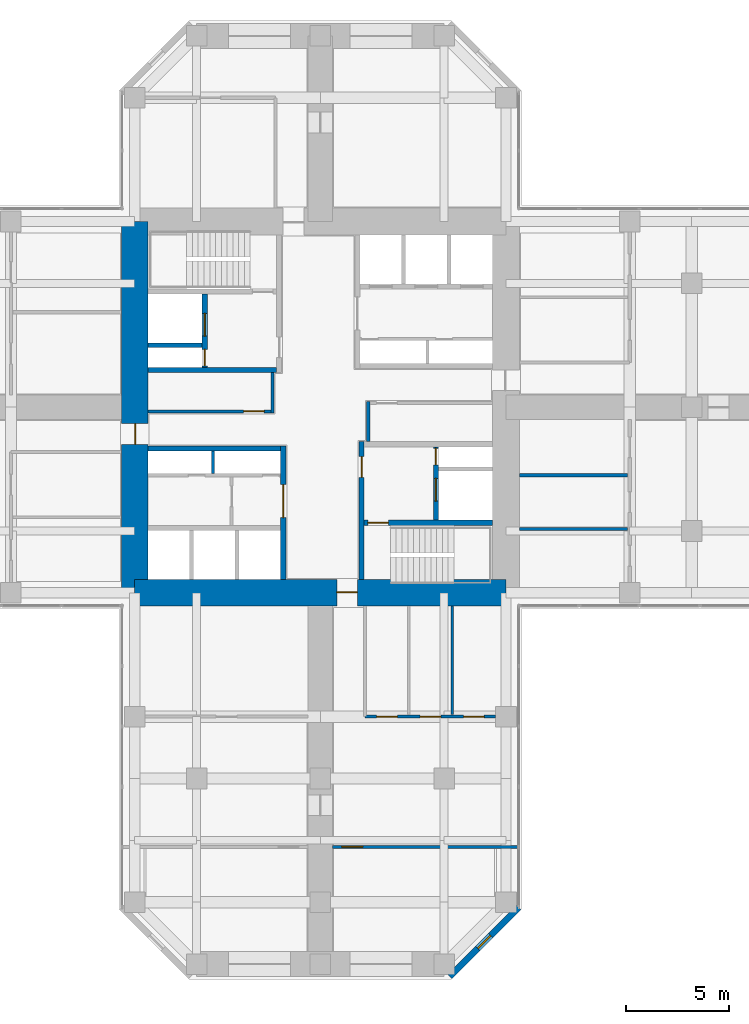
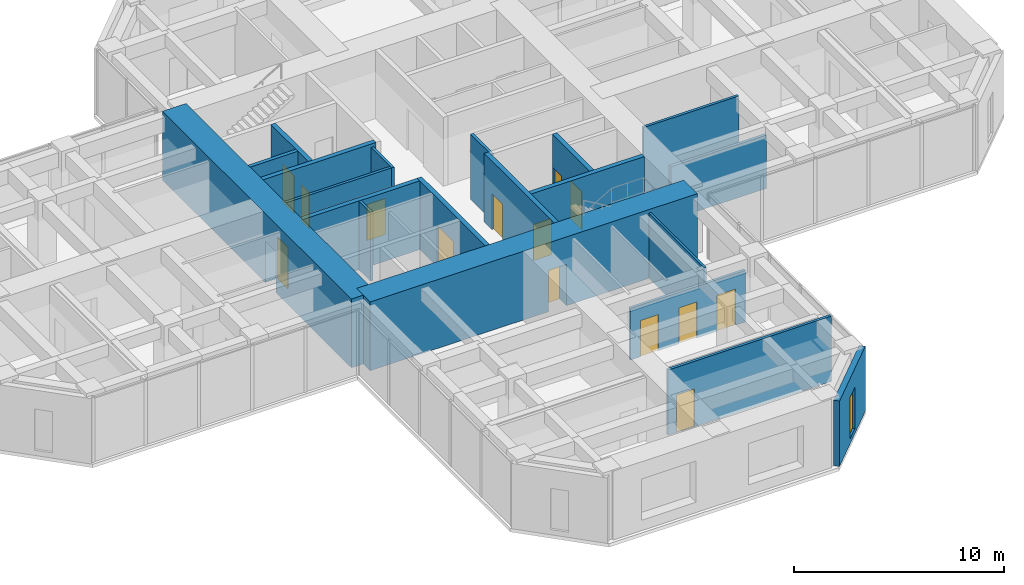
# One storey, part 9 of 13: 20 walls, 14 doors, 1 window, 15 openings.
"""IFC4 building model written with IfcOpenShell, lengths in metres."""

import ifcopenshell
import ifcopenshell.guid

model = None  # the IFC model being written
_history = None  # IfcOwnerHistory: only IFC2X3 demands one
_inside = {}  # id of a spatial element -> (the spatial element, [elements in it])
_under = {}  # id of a project, library or spatial element -> (it, [spatial elements below it])
_declared = {}  # id of a project -> (the project, [libraries it declares])
_typed = {}  # id of a type object -> (the type object, [elements of that type])
_made_of = {}  # id of a material, layer set ... -> (it, [elements and type objects made of it])


def new_model(schema):
    """Start an empty IFC model of exactly this schema.

    Asked for "IFC4X3", IfcOpenShell would pick the latest addendum, in which some entities
    have other attributes; the version numbers below select the first issue.
    IFC2X3 requires an IfcOwnerHistory on every rooted entity: one is made here for all.
    """
    global model, _history
    if schema == "IFC4X3":
        model = ifcopenshell.file(schema_version=(4, 3, 0, 0))
    else:
        model = ifcopenshell.file(schema=schema)
    _inside.clear()
    _under.clear()
    _declared.clear()
    _typed.clear()
    _made_of.clear()
    _history = None
    if model.schema == "IFC2X3":
        org = make("IfcOrganization", Name="unknown")
        user = make(
            "IfcPersonAndOrganization",
            ThePerson=make("IfcPerson", FamilyName="unknown"),
            TheOrganization=org,
        )
        app = make(
            "IfcApplication",
            ApplicationDeveloper=org,
            Version="unknown",
            ApplicationFullName="unknown",
            ApplicationIdentifier="unknown",
        )
        _history = make(
            "IfcOwnerHistory",
            OwningUser=user,
            OwningApplication=app,
            ChangeAction="ADDED",
            CreationDate=0,
        )
    return model


def make(cls, **values):
    """One entity of the class cls with the attributes given. An attribute that is None is left unset."""
    return model.create_entity(
        cls, **{name: value for name, value in values.items() if value is not None}
    )


def rooted(cls, **values):
    """An entity with a GlobalId (a new one), such as an element, a storey or a relation."""
    return make(cls, GlobalId=ifcopenshell.guid.new(), OwnerHistory=_history, **values)


def si_unit(unit_type, name, prefix=None):
    """IfcSIUnit, for example si_unit("LENGTHUNIT", "METRE", prefix="MILLI")."""
    return make("IfcSIUnit", UnitType=unit_type, Prefix=prefix, Name=name)


def assignment(units):
    """IfcUnitAssignment: the units of a project."""
    return None if units is None else make("IfcUnitAssignment", Units=units)


def point(xyz):
    """IfcCartesianPoint."""
    return None if xyz is None else make("IfcCartesianPoint", Coordinates=xyz)


def direction(xyz):
    """IfcDirection."""
    return None if xyz is None else make("IfcDirection", DirectionRatios=xyz)


def frame(location, z_axis=None, x_axis=None):
    """IfcAxis2Placement3D, a coordinate frame: its origin and axes. An axis left out is left unset."""
    return make(
        "IfcAxis2Placement3D",
        Location=point(location),
        Axis=direction(z_axis),
        RefDirection=direction(x_axis),
    )


def frame_2d(location, x_axis=None):
    """IfcAxis2Placement2D, a coordinate frame in the plane: its origin and x axis."""
    return make(
        "IfcAxis2Placement2D", Location=point(location), RefDirection=direction(x_axis)
    )


def origin():
    """The frame at (0, 0, 0) with its axes left unset."""
    return frame((0.0, 0.0, 0.0))


def place(relative_to, where):
    """IfcLocalPlacement: puts the frame where relative to a parent placement (None: the world)."""
    return make(
        "IfcLocalPlacement", PlacementRelTo=relative_to, RelativePlacement=where
    )


def context(
    kind, dimensions, precision=None, world=None, true_north=None, identifier=None
):
    """IfcGeometricRepresentationContext, for example the 3D "Model" context."""
    return make(
        "IfcGeometricRepresentationContext",
        ContextIdentifier=identifier,
        ContextType=kind,
        CoordinateSpaceDimension=dimensions,
        Precision=precision,
        WorldCoordinateSystem=world,
        TrueNorth=true_north,
    )


def subcontext(parent, identifier, kind, view, scale=None):
    """IfcGeometricRepresentationSubContext, for example "Body" below "Model"."""
    return make(
        "IfcGeometricRepresentationSubContext",
        ContextIdentifier=identifier,
        ContextType=kind,
        ParentContext=parent,
        TargetScale=scale,
        TargetView=view,
    )


def project(units=None, contexts=None):
    """IfcProject with its units and contexts."""
    return rooted(
        "IfcProject",
        Name="project",
        RepresentationContexts=contexts,
        UnitsInContext=assignment(units),
    )


def spatial(cls, under=None, at=None, **own):
    """A site, building, storey or space (cls), placed at a placement, below another one or the project."""
    s = rooted(cls, ObjectPlacement=at, **own)
    if under is not None:
        _under.setdefault(under.id(), (under, []))[1].append(s)
    return s


def profile(cls, at=None, kind="AREA", **sizes):
    """A parametric profile (cls). Its sizes go by their IFC names, for example OverallWidth=200.0."""
    return make(cls, ProfileType=kind, Position=at, **sizes)


def rectangle(**sizes):
    """IfcRectangleProfileDef."""
    return profile("IfcRectangleProfileDef", **sizes)


def hollow_rectangle(**sizes):
    """IfcRectangleHollowProfileDef."""
    return profile("IfcRectangleHollowProfileDef", **sizes)


def extrude(swept, where, along, depth):
    """IfcExtrudedAreaSolid: the profile swept, set in the frame where, extruded along a direction by depth."""
    return make(
        "IfcExtrudedAreaSolid",
        SweptArea=swept,
        Position=where,
        ExtrudedDirection=direction(along),
        Depth=depth,
    )


def shape(context_of_items, identifier, shape_type, items):
    """IfcShapeRepresentation: the items that make up one representation, for example the "Body"."""
    return make(
        "IfcShapeRepresentation",
        ContextOfItems=context_of_items,
        RepresentationIdentifier=identifier,
        RepresentationType=shape_type,
        Items=items,
    )


def material(Name=None, Category=None):
    """IfcMaterial."""
    return make("IfcMaterial", Name=Name, Category=Category)


def layer(
    of_material, thickness, ventilated=None, Name=None, Category=None, Priority=None
):
    """IfcMaterialLayer: one layer of a wall or slab, of a material (None: an air gap)."""
    return make(
        "IfcMaterialLayer",
        Material=of_material,
        LayerThickness=thickness,
        IsVentilated=ventilated,
        Name=Name,
        Category=Category,
        Priority=Priority,
    )


def layer_set(layers, Name=None):
    """IfcMaterialLayerSet."""
    return make("IfcMaterialLayerSet", MaterialLayers=layers, LayerSetName=Name)


def constituent(of_material, Name=None, Category=None, fraction=None):
    """IfcMaterialConstituent: one of the materials an element consists of."""
    return make(
        "IfcMaterialConstituent",
        Name=Name,
        Material=of_material,
        Fraction=fraction,
        Category=Category,
    )


def constituent_set(constituents=None, Name=None):
    """IfcMaterialConstituentSet."""
    return make(
        "IfcMaterialConstituentSet", Name=Name, MaterialConstituents=constituents
    )


def made_of(thing, what):
    """Note that an element or type object is made of a material, layer set ...; save() writes the relation."""
    if what is not None:
        _made_of.setdefault(what.id(), (what, []))[1].append(thing)
    return thing


def type_object(cls, material=None, **own):
    """A type object (cls), such as IfcWallType, which elements share."""
    return made_of(rooted(cls, **own), material)


def element(
    cls,
    number,
    at=None,
    inside=None,
    cuts=None,
    type_object=None,
    material=None,
    context=None,
    identifier="Body",
    shape_type=None,
    held_by="IfcProductDefinitionShape",
    body=None,
    shapes=None,
    **own,
):
    """One element of the class cls, such as IfcWall. Its Tag is "e" and its number.

    at: its placement. inside: the storey or other place that contains it. cuts: it is an
    opening in that element (IfcRelVoidsElement). A single representation is given by context,
    identifier, shape_type and body (its items); several are given by shapes. held_by: the class
    of the entity that holds the representations. save() writes the other relations.
    """
    e = rooted(cls, Tag="e%d" % number, ObjectPlacement=at, **own)
    if body is not None:
        shapes = [shape(context, identifier, shape_type, body)]
    if shapes is not None:
        e.Representation = make(held_by, Representations=shapes)
    if inside is not None:
        _inside.setdefault(inside.id(), (inside, []))[1].append(e)
    if cuts is not None:
        rooted(
            "IfcRelVoidsElement", RelatingBuildingElement=cuts, RelatedOpeningElement=e
        )
    if type_object is not None:
        _typed.setdefault(type_object.id(), (type_object, []))[1].append(e)
    return made_of(e, material)


def fill(opening, filler):
    """IfcRelFillsElement: the door or window that sits in an opening."""
    return rooted(
        "IfcRelFillsElement",
        RelatingOpeningElement=opening,
        RelatedBuildingElement=filler,
    )


def aggregate(whole, parts):
    """IfcRelAggregates: a whole, such as a stair, and the parts it consists of."""
    return rooted("IfcRelAggregates", RelatingObject=whole, RelatedObjects=parts)


def save(model, path):
    """Write the relations noted so far, then the file.

    IfcRelAggregates (storeys below a building ...), IfcRelContainedInSpatialStructure (elements
    in a storey), IfcRelDefinesByType, IfcRelAssociatesMaterial and IfcRelDeclares: one each for
    every whole, place, type object, material and project.
    """
    for whole, parts in _under.values():
        aggregate(whole, parts)
    for where, things in _inside.values():
        rooted(
            "IfcRelContainedInSpatialStructure",
            RelatedElements=things,
            RelatingStructure=where,
        )
    for kind, things in _typed.values():
        rooted("IfcRelDefinesByType", RelatedObjects=things, RelatingType=kind)
    for what, things in _made_of.values():
        rooted("IfcRelAssociatesMaterial", RelatedObjects=things, RelatingMaterial=what)
    for by, libraries in _declared.values():
        rooted("IfcRelDeclares", RelatingContext=by, RelatedDefinitions=libraries)
    model.write(path)


model = new_model("IFC4")

# Units and contexts
model_context = context("Model", 3, precision=1e-05, world=origin(), true_north=direction((0.0, 1.0)))
body_context = subcontext(model_context, "Body", "Model", "MODEL_VIEW")
ifc_project = project(units=[si_unit("LENGTHUNIT", "METRE"), si_unit("AREAUNIT", "SQUARE_METRE"), si_unit("VOLUMEUNIT", "CUBIC_METRE"), si_unit("PLANEANGLEUNIT", "RADIAN"), si_unit("MASSUNIT", "GRAM", prefix="KILO")], contexts=[model_context])

# Site, building, storey
site_placement = place(None, origin())
site = spatial("IfcSite", under=ifc_project, at=site_placement, CompositionType="ELEMENT")
building_placement = place(site_placement, origin())
building = spatial("IfcBuilding", under=site, at=building_placement, Name="Torre Cruceta", CompositionType="ELEMENT")
storey_placement = place(building_placement, frame((0.0, 0.0, 132.5)))
storey = spatial("IfcBuildingStorey", under=building, at=storey_placement, Name="L32", CompositionType="ELEMENT", Elevation=132.5)

# Wall
ifc_material_1 = material(Name="Concrete G60 (fck 60 MPa)", Category="concrete")
ifc_layer_1 = layer(ifc_material_1, 0.25)
ifc_layer_set_1 = layer_set([ifc_layer_1], Name="Concrete G60 (fck 60 MPa)")
wall_type_1 = type_object("IfcWallType", Name="CORE INNER WALL 250 G60", PredefinedType="SHEAR", material=ifc_layer_set_1)
wall_1_placement = place(storey_placement, frame((-2.125, 1.800048828125, 0.0), z_axis=(0.0, 0.0, 1.0), x_axis=(-1.0, 0.0, 0.0)))
element("IfcWall", 1, at=wall_1_placement, inside=storey, type_object=wall_type_1, Name="CW4 L32 NW-CV", PredefinedType="SHEAR", context=body_context, shape_type="SweptSolid", body=[
    extrude(rectangle(XDim=6.22509765625, YDim=0.25, at=frame_2d((3.112548828125, 0.0))), origin(), (0.0, 0.0, 1.0), 4.0),
])

# Wall, openings, doors
wall_2_placement = place(storey_placement, frame((-5.60009765625, 1.925048828125, 0.0), z_axis=(0.0, 0.0, 1.0), x_axis=(0.0, 1.0, 0.0)))
wall_2 = element("IfcWall", 2, at=wall_2_placement, inside=storey, type_object=wall_type_1, Name="CW4 L32 NW-FU", PredefinedType="SHEAR", context=body_context, shape_type="SweptSolid", body=[
    extrude(rectangle(XDim=3.550048828125, YDim=0.25, at=frame_2d((1.77490234375, 0.0))), origin(), (0.0, 0.0, 1.0), 4.0),
])
opening_1_placement = place(wall_2_placement, frame((1.52490234375, 0.0, 0.0)))
opening_1 = element("IfcOpeningElement", 3, at=opening_1_placement, cuts=wall_2, Name="Opening LD1", PredefinedType="OPENING", context=body_context, shape_type="SweptSolid", body=[
    extrude(rectangle(XDim=1.10009765625, YDim=2.199951171875, at=frame_2d((0.550048828125, 1.10009765625))), frame((0.0, 0.135009765625, 0.0), z_axis=(0.0, -1.0, 0.0), x_axis=(1.0, 0.0, 0.0)), (0.0, 0.0, 1.0), 0.27001953125),
])
opening_2_placement = place(wall_2_placement, frame((0.074951171875, 0.0, 0.0)))
opening_2 = element("IfcOpeningElement", 4, at=opening_2_placement, cuts=wall_2, Name="Opening D5", PredefinedType="OPENING", context=body_context, shape_type="SweptSolid", body=[
    extrude(rectangle(XDim=0.800048828125, YDim=2.10009765625, at=frame_2d((0.39990234375, 1.050048828125))), frame((0.0, 0.135009765625, 0.0), z_axis=(0.0, -1.0, 0.0), x_axis=(1.0, 0.0, 0.0)), (0.0, 0.0, 1.0), 0.27001953125),
])
ifc_material_2 = material(Name="Stainless steel 1.4401", Category="steel")
door_type_1 = type_object("IfcDoorType", Name="LIFT LANDING DOOR 1100X2200", OperationType="DOUBLE_DOOR_SLIDING", PredefinedType="DOOR", material=ifc_material_2)
door_1_placement = place(opening_1_placement, origin())
door_1 = element("IfcDoor", 5, at=door_1_placement, inside=storey, type_object=door_type_1, Name="Lift landing door FL1", OperationType="DOUBLE_DOOR_SLIDING", OverallHeight=2.199951171875, OverallWidth=1.10009765625, PredefinedType="DOOR", context=body_context, shape_type="SweptSolid", body=[
    extrude(rectangle(XDim=1.10009765625, YDim=2.199951171875, at=frame_2d((0.550048828125, 1.10009765625))), frame((0.0, 0.02490234375, 0.0), z_axis=(0.0, -1.0, 0.0), x_axis=(1.0, 0.0, 0.0)), (0.0, 0.0, 1.0), 0.050048828125),
])
fill(opening_1, door_1)
ifc_material_3 = material(Name="Steel DX51D", Category="steel")
ifc_constituent_1 = constituent(ifc_material_3, Name="Leaf and frame")
ifc_material_4 = material(Name="Polyester powder coating", Category="paint")
ifc_constituent_2 = constituent(ifc_material_4, Name="Finish")
ifc_constituent_set_1 = constituent_set(constituents=[ifc_constituent_1, ifc_constituent_2], Name="Steel fire door")
door_type_2 = type_object("IfcDoorType", Name="RISER ACCESS DOOR 800X2100", OperationType="SINGLE_SWING_LEFT", PredefinedType="DOOR", material=ifc_constituent_set_1)
door_2_placement = place(opening_2_placement, origin())
door_2 = element("IfcDoor", 6, at=door_2_placement, inside=storey, type_object=door_type_2, Name="D5 L32 NW-RISER", OperationType="SINGLE_SWING_LEFT", OverallHeight=2.10009765625, OverallWidth=0.800048828125, PredefinedType="DOOR", context=body_context, shape_type="SweptSolid", body=[
    extrude(rectangle(XDim=0.800048828125, YDim=2.10009765625, at=frame_2d((0.39990234375, 1.050048828125))), frame((0.0, 0.02490234375, 0.0), z_axis=(0.0, -1.0, 0.0), x_axis=(1.0, 0.0, 0.0)), (0.0, 0.0, 1.0), 0.050048828125),
])
fill(opening_2, door_2)

# Wall, opening, door
wall_3_placement = place(storey_placement, frame((-1.800048828125, -1.875, 0.0), z_axis=(0.0, 0.0, 1.0), x_axis=(0.0, -1.0, 0.0)))
wall_3 = element("IfcWall", 7, at=wall_3_placement, inside=storey, type_object=wall_type_1, Name="CW4 L32 SW-CU", PredefinedType="SHEAR", context=body_context, shape_type="SweptSolid", body=[
    extrude(rectangle(XDim=6.47509765625, YDim=0.25, at=frame_2d((3.237548828125, 0.0))), origin(), (0.0, 0.0, 1.0), 4.0),
])
opening_3_placement = place(wall_3_placement, frame((1.875, 0.0, 0.0)))
opening_3 = element("IfcOpeningElement", 8, at=opening_3_placement, cuts=wall_3, Name="Opening D15", PredefinedType="OPENING", context=body_context, shape_type="SweptSolid", body=[
    extrude(rectangle(XDim=1.60009765625, YDim=2.39990234375, at=frame_2d((0.800048828125, 1.199951171875))), frame((0.0, 0.135009765625, 0.0), z_axis=(0.0, -1.0, 0.0), x_axis=(1.0, 0.0, 0.0)), (0.0, 0.0, 1.0), 0.27001953125),
])
ifc_material_5 = material(Name="Steel DX51D", Category="steel")
ifc_constituent_3 = constituent(ifc_material_5, Name="Leaf and frame")
ifc_material_6 = material(Name="Polyester powder coating", Category="paint")
ifc_constituent_4 = constituent(ifc_material_6, Name="Finish")
ifc_constituent_set_2 = constituent_set(constituents=[ifc_constituent_3, ifc_constituent_4], Name="Steel fire door")
door_type_3 = type_object("IfcDoorType", Name="CORE ROOM DOUBLE DOOR 1600X2400", OperationType="DOUBLE_DOOR_SINGLE_SWING", PredefinedType="DOOR", material=ifc_constituent_set_2)
door_3_placement = place(opening_3_placement, frame((1.60009765625, 0.0, 0.0), z_axis=(0.0, 0.0, 1.0), x_axis=(-1.0, 0.0, 0.0)))
door_3 = element("IfcDoor", 9, at=door_3_placement, inside=storey, type_object=door_type_3, Name="D15 L32 SW-LOBBY", OperationType="DOUBLE_DOOR_SINGLE_SWING", OverallHeight=2.39990234375, OverallWidth=1.60009765625, PredefinedType="DOOR", context=body_context, shape_type="SweptSolid", body=[
    extrude(rectangle(XDim=1.60009765625, YDim=2.39990234375, at=frame_2d((0.800048828125, 1.199951171875))), frame((0.0, 0.025146484375, 0.0), z_axis=(0.0, -1.0, 0.0), x_axis=(1.0, 0.0, 0.0)), (0.0, 0.0, 1.0), 0.050048828125),
])
fill(opening_3, door_3)

# Wall
wall_4_placement = place(storey_placement, frame((-1.925048828125, -2.0, 0.0), z_axis=(0.0, 0.0, 1.0), x_axis=(-1.0, 0.0, 0.0)))
element("IfcWall", 10, at=wall_4_placement, inside=storey, type_object=wall_type_1, Name="CW4 L32 SW-CV", PredefinedType="SHEAR", context=body_context, shape_type="SweptSolid", body=[
    extrude(rectangle(XDim=6.425048828125, YDim=0.25, at=frame_2d((3.21240234375, 0.0))), origin(), (0.0, 0.0, 1.0), 4.0),
])

# Wall, opening, door
wall_5_placement = place(storey_placement, frame((2.0, -1.675048828125, 0.0), z_axis=(0.0, 0.0, 1.0), x_axis=(0.0, -1.0, 0.0)))
wall_5 = element("IfcWall", 11, at=wall_5_placement, inside=storey, type_object=wall_type_1, Name="CW4 L32 SE-CU", PredefinedType="SHEAR", context=body_context, shape_type="SweptSolid", body=[
    extrude(rectangle(XDim=6.675048828125, YDim=0.25, at=frame_2d((3.33740234375, 0.0))), origin(), (0.0, 0.0, 1.0), 4.0),
])
opening_4_placement = place(wall_5_placement, frame((0.72509765625, 0.0, 0.0)))
opening_4 = element("IfcOpeningElement", 12, at=opening_4_placement, cuts=wall_5, Name="Opening D3", PredefinedType="OPENING", context=body_context, shape_type="SweptSolid", body=[
    extrude(rectangle(XDim=1.0, YDim=2.10009765625, at=frame_2d((0.5, 1.050048828125))), frame((0.0, 0.135009765625, 0.0), z_axis=(0.0, -1.0, 0.0), x_axis=(1.0, 0.0, 0.0)), (0.0, 0.0, 1.0), 0.27001953125),
])
ifc_material_7 = material(Name="Steel DX51D", Category="steel")
ifc_constituent_5 = constituent(ifc_material_7, Name="Leaf and frame")
ifc_material_8 = material(Name="Polyester powder coating", Category="paint")
ifc_constituent_6 = constituent(ifc_material_8, Name="Finish")
ifc_constituent_set_3 = constituent_set(constituents=[ifc_constituent_5, ifc_constituent_6], Name="Steel fire door")
door_type_4 = type_object("IfcDoorType", Name="FIRE DOOR 1000X2100", OperationType="SINGLE_SWING_LEFT", PredefinedType="DOOR", material=ifc_constituent_set_3)
door_4_placement = place(opening_4_placement, origin())
door_4 = element("IfcDoor", 13, at=door_4_placement, inside=storey, type_object=door_type_4, Name="D3 L32 SE-LOBBY", OperationType="SINGLE_SWING_LEFT", OverallHeight=2.10009765625, OverallWidth=1.0, PredefinedType="DOOR", context=body_context, shape_type="SweptSolid", body=[
    extrude(rectangle(XDim=1.0, YDim=2.10009765625, at=frame_2d((0.5, 1.050048828125))), frame((0.0, 0.02490234375, 0.0), z_axis=(0.0, -1.0, 0.0), x_axis=(1.0, 0.0, 0.0)), (0.0, 0.0, 1.0), 0.050048828125),
])
fill(opening_4, door_4)

wall_6_placement = place(storey_placement, frame((2.125, -5.60009765625, 0.0), z_axis=(0.0, 0.0, 1.0), x_axis=(1.0, 0.0, 0.0)))
wall_6 = element("IfcWall", 14, at=wall_6_placement, inside=storey, type_object=wall_type_1, Name="CW4 L32 SE-SV", PredefinedType="SHEAR", context=body_context, shape_type="SweptSolid", body=[
    extrude(rectangle(XDim=6.22509765625, YDim=0.25, at=frame_2d((3.112548828125, 0.0))), origin(), (0.0, 0.0, 1.0), 4.0),
])
opening_5_placement = place(wall_6_placement, frame((0.175048828125, 0.0, 0.0)))
opening_5 = element("IfcOpeningElement", 15, at=opening_5_placement, cuts=wall_6, Name="Opening D3", PredefinedType="OPENING", context=body_context, shape_type="SweptSolid", body=[
    extrude(rectangle(XDim=1.0, YDim=2.10009765625, at=frame_2d((0.5, 1.050048828125))), frame((0.0, 0.135009765625, 0.0), z_axis=(0.0, -1.0, 0.0), x_axis=(1.0, 0.0, 0.0)), (0.0, 0.0, 1.0), 0.27001953125),
])
door_5_placement = place(opening_5_placement, frame((1.0, 0.0, 0.0), z_axis=(0.0, 0.0, 1.0), x_axis=(-1.0, 0.0, 0.0)))
door_5 = element("IfcDoor", 16, at=door_5_placement, inside=storey, type_object=door_type_4, Name="D3 L32 SE-STAIR", OperationType="SINGLE_SWING_RIGHT", OverallHeight=2.10009765625, OverallWidth=1.0, PredefinedType="DOOR", context=body_context, shape_type="SweptSolid", body=[
    extrude(rectangle(XDim=1.0, YDim=2.10009765625, at=frame_2d((0.5, 1.050048828125))), frame((0.0, 0.025146484375, 0.0), z_axis=(0.0, -1.0, 0.0), x_axis=(1.0, 0.0, 0.0)), (0.0, 0.0, 1.0), 0.050048828125),
])
fill(opening_5, door_5)

# Wall, openings, doors
wall_7_placement = place(storey_placement, frame((5.60009765625, -1.925048828125, 0.0), z_axis=(0.0, 0.0, 1.0), x_axis=(0.0, -1.0, 0.0)))
wall_7 = element("IfcWall", 17, at=wall_7_placement, inside=storey, type_object=wall_type_1, Name="CW4 L32 SE-FU", PredefinedType="SHEAR", context=body_context, shape_type="SweptSolid", body=[
    extrude(rectangle(XDim=3.550048828125, YDim=0.25, at=frame_2d((1.77490234375, 0.0))), origin(), (0.0, 0.0, 1.0), 4.0),
])
opening_6_placement = place(wall_7_placement, frame((1.52490234375, 0.0, 0.0)))
opening_6 = element("IfcOpeningElement", 18, at=opening_6_placement, cuts=wall_7, Name="Opening LD1", PredefinedType="OPENING", context=body_context, shape_type="SweptSolid", body=[
    extrude(rectangle(XDim=1.10009765625, YDim=2.199951171875, at=frame_2d((0.550048828125, 1.10009765625))), frame((0.0, 0.135009765625, 0.0), z_axis=(0.0, -1.0, 0.0), x_axis=(1.0, 0.0, 0.0)), (0.0, 0.0, 1.0), 0.27001953125),
])
opening_7_placement = place(wall_7_placement, frame((0.074951171875, 0.0, 0.0)))
opening_7 = element("IfcOpeningElement", 19, at=opening_7_placement, cuts=wall_7, Name="Opening D5", PredefinedType="OPENING", context=body_context, shape_type="SweptSolid", body=[
    extrude(rectangle(XDim=0.800048828125, YDim=2.10009765625, at=frame_2d((0.39990234375, 1.050048828125))), frame((0.0, 0.135009765625, 0.0), z_axis=(0.0, -1.0, 0.0), x_axis=(1.0, 0.0, 0.0)), (0.0, 0.0, 1.0), 0.27001953125),
])
door_6_placement = place(opening_6_placement, origin())
door_6 = element("IfcDoor", 20, at=door_6_placement, inside=storey, type_object=door_type_1, Name="Lift landing door FL2", OperationType="DOUBLE_DOOR_SLIDING", OverallHeight=2.199951171875, OverallWidth=1.10009765625, PredefinedType="DOOR", context=body_context, shape_type="SweptSolid", body=[
    extrude(rectangle(XDim=1.10009765625, YDim=2.199951171875, at=frame_2d((0.550048828125, 1.10009765625))), frame((0.0, 0.02490234375, 0.0), z_axis=(0.0, -1.0, 0.0), x_axis=(1.0, 0.0, 0.0)), (0.0, 0.0, 1.0), 0.050048828125),
])
fill(opening_6, door_6)
door_7_placement = place(opening_7_placement, origin())
door_7 = element("IfcDoor", 21, at=door_7_placement, inside=storey, type_object=door_type_2, Name="D5 L32 SE-RISER", OperationType="SINGLE_SWING_LEFT", OverallHeight=2.10009765625, OverallWidth=0.800048828125, PredefinedType="DOOR", context=body_context, shape_type="SweptSolid", body=[
    extrude(rectangle(XDim=0.800048828125, YDim=2.10009765625, at=frame_2d((0.39990234375, 1.050048828125))), frame((0.0, 0.02490234375, 0.0), z_axis=(0.0, -1.0, 0.0), x_axis=(1.0, 0.0, 0.0)), (0.0, 0.0, 1.0), 0.050048828125),
])
fill(opening_7, door_7)

# Wall, opening, door
ifc_material_9 = material(Name="Concrete G60 (fck 60 MPa)", Category="concrete")
ifc_layer_2 = layer(ifc_material_9, 1.300048828125)
ifc_layer_set_2 = layer_set([ifc_layer_2], Name="Concrete G60 (fck 60 MPa)")
wall_type_2 = type_object("IfcWallType", Name="CORE WALL 1300 G60", PredefinedType="SHEAR", material=ifc_layer_set_2)
wall_8_placement = place(storey_placement, frame((-9.0, -9.0, 0.0), z_axis=(0.0, 0.0, 1.0), x_axis=(1.0, 0.0, 0.0)))
wall_8 = element("IfcWall", 22, at=wall_8_placement, inside=storey, type_object=wall_type_2, Name="CW1 L32 CW-S", PredefinedType="SHEAR", context=body_context, shape_type="SweptSolid", body=[
    extrude(rectangle(XDim=18.0, YDim=1.300048828125, at=frame_2d((9.0, 0.0))), origin(), (0.0, 0.0, 1.0), 4.0),
])
opening_8_placement = place(wall_8_placement, frame((9.800048828125, 0.0, 0.0)))
opening_8 = element("IfcOpeningElement", 23, at=opening_8_placement, cuts=wall_8, Name="Opening D4", PredefinedType="OPENING", context=body_context, shape_type="SweptSolid", body=[
    extrude(rectangle(XDim=1.0, YDim=2.39990234375, at=frame_2d((0.5, 1.199951171875))), frame((0.0, 0.659912109375, 0.0), z_axis=(0.0, -1.0, 0.0), x_axis=(1.0, 0.0, 0.0)), (0.0, 0.0, 1.0), 1.320068359375),
])
ifc_material_10 = material(Name="Steel DX51D", Category="steel")
ifc_constituent_7 = constituent(ifc_material_10, Name="Leaf and frame")
ifc_material_11 = material(Name="Polyester powder coating", Category="paint")
ifc_constituent_8 = constituent(ifc_material_11, Name="Finish")
ifc_constituent_set_4 = constituent_set(constituents=[ifc_constituent_7, ifc_constituent_8], Name="Steel fire door")
door_type_5 = type_object("IfcDoorType", Name="CORE ARM DOOR 1000X2400", OperationType="SINGLE_SWING_RIGHT", PredefinedType="DOOR", material=ifc_constituent_set_4)
door_8_placement = place(opening_8_placement, frame((1.0, 0.0, 0.0), z_axis=(0.0, 0.0, 1.0), x_axis=(-1.0, 0.0, 0.0)))
door_8 = element("IfcDoor", 24, at=door_8_placement, inside=storey, type_object=door_type_5, Name="D4 L32 CW-S", OperationType="SINGLE_SWING_RIGHT", OverallHeight=2.39990234375, OverallWidth=1.0, PredefinedType="DOOR", context=body_context, shape_type="SweptSolid", body=[
    extrude(rectangle(XDim=1.0, YDim=2.39990234375, at=frame_2d((0.5, 1.199951171875))), frame((0.0, -0.005126953125, 0.0), z_axis=(0.0, -1.0, 0.0), x_axis=(1.0, 0.0, 0.0)), (0.0, 0.0, 1.0), 0.050048828125),
])
fill(opening_8, door_8)

wall_9_placement = place(storey_placement, frame((-9.0, 9.0, 0.0), z_axis=(0.0, 0.0, 1.0), x_axis=(0.0, -1.0, 0.0)))
wall_9 = element("IfcWall", 25, at=wall_9_placement, inside=storey, type_object=wall_type_2, Name="CW1 L32 CW-W", PredefinedType="SHEAR", context=body_context, shape_type="SweptSolid", body=[
    extrude(rectangle(XDim=18.0, YDim=1.300048828125, at=frame_2d((9.0, 0.0))), origin(), (0.0, 0.0, 1.0), 4.0),
])
opening_9_placement = place(wall_9_placement, frame((9.800048828125, 0.0, 0.0)))
opening_9 = element("IfcOpeningElement", 26, at=opening_9_placement, cuts=wall_9, Name="Opening D4", PredefinedType="OPENING", context=body_context, shape_type="SweptSolid", body=[
    extrude(rectangle(XDim=1.0, YDim=2.39990234375, at=frame_2d((0.5, 1.199951171875))), frame((0.0, 0.659912109375, 0.0), z_axis=(0.0, -1.0, 0.0), x_axis=(1.0, 0.0, 0.0)), (0.0, 0.0, 1.0), 1.320068359375),
])
door_9_placement = place(opening_9_placement, frame((1.0, 0.0, 0.0), z_axis=(0.0, 0.0, 1.0), x_axis=(-1.0, 0.0, 0.0)))
door_9 = element("IfcDoor", 27, at=door_9_placement, inside=storey, type_object=door_type_5, Name="D4 L32 CW-W", OperationType="SINGLE_SWING_RIGHT", OverallHeight=2.39990234375, OverallWidth=1.0, PredefinedType="DOOR", context=body_context, shape_type="SweptSolid", body=[
    extrude(rectangle(XDim=1.0, YDim=2.39990234375, at=frame_2d((0.5, 1.199951171875))), frame((0.0, -0.005126953125, 0.0), z_axis=(0.0, -1.0, 0.0), x_axis=(1.0, 0.0, 0.0)), (0.0, 0.0, 1.0), 0.050048828125),
])
fill(opening_9, door_9)

# Wall, opening, window
ifc_material_12 = material(Name="Concrete G30 (fck 30 MPa)", Category="concrete")
ifc_layer_3 = layer(ifc_material_12, 0.300048828125)
ifc_layer_set_3 = layer_set([ifc_layer_3], Name="Concrete G30 (fck 30 MPa)")
wall_type_3 = type_object("IfcWallType", Name="EXPOSED CONCRETE FACADE WALL 300", PredefinedType="SOLIDWALL", material=ifc_layer_set_3)
wall_10_placement = place(storey_placement, frame((6.27685546875, -27.60009765625, 0.0), z_axis=(0.0, 0.0, 1.0), x_axis=(0.707106781187, 0.707106781187, 0.0)))
wall_10 = element("IfcWall", 28, at=wall_10_placement, inside=storey, type_object=wall_type_3, Name="EW1 facade wall L32 S chamfer 18", PredefinedType="SOLIDWALL", context=body_context, shape_type="SweptSolid", body=[
    extrude(rectangle(XDim=4.72802734375, YDim=0.300048828125, at=frame_2d((2.364013671875, 0.0))), origin(), (0.0, 0.0, 1.0), 3.800048828125),
])
opening_10_placement = place(wall_10_placement, frame((1.9140625, 0.0, 0.300048828125)))
opening_10 = element("IfcOpeningElement", 29, at=opening_10_placement, cuts=wall_10, Name="Opening WN5", PredefinedType="OPENING", context=body_context, shape_type="SweptSolid", body=[
    extrude(rectangle(XDim=0.89990234375, YDim=2.39990234375, at=frame_2d((0.449951171875, 1.199951171875))), frame((0.0, 0.159912109375, 0.0), z_axis=(0.0, -1.0, 0.0), x_axis=(1.0, 0.0, 0.0)), (0.0, 0.0, 1.0), 0.320068359375),
])
ifc_material_13 = material(Name="Aluminium window frame", Category="aluminium")
ifc_constituent_9 = constituent(ifc_material_13, Name="Frame")
ifc_material_14 = material(Name="Laminated insulating glass unit, low-iron clear", Category="glass")
ifc_constituent_10 = constituent(ifc_material_14, Name="Glazing")
ifc_constituent_set_5 = constituent_set(constituents=[ifc_constituent_9, ifc_constituent_10], Name="Aluminium window")
window_type = type_object("IfcWindowType", Name="CHAMFER SLOT WINDOW 900X2400", PartitioningType="SINGLE_PANEL", PredefinedType="WINDOW", material=ifc_constituent_set_5)
window_placement = place(opening_10_placement, origin())
window = element("IfcWindow", 30, at=window_placement, inside=storey, type_object=window_type, Name="WN5 L32 S 1", OverallHeight=2.39990234375, OverallWidth=0.89990234375, PartitioningType="SINGLE_PANEL", PredefinedType="WINDOW", context=body_context, shape_type="SweptSolid", body=[
    extrude(hollow_rectangle(XDim=0.89990234375, YDim=2.39990234375, WallThickness=0.06005859375, at=frame_2d((0.449951171875, 1.199951171875))), frame((0.0, 0.030029296875, 0.0), z_axis=(0.0, -1.0, 0.0), x_axis=(1.0, 0.0, 0.0)), (0.0, 0.0, 1.0), 0.06005859375),
    extrude(rectangle(XDim=0.77880859375, YDim=2.27880859375, at=frame_2d((0.449951171875, 1.199951171875))), frame((0.0, 0.030029296875, 0.0), z_axis=(0.0, -1.0, 0.0), x_axis=(1.0, 0.0, 0.0)), (0.0, 0.0, 1.0), 0.06005859375),
])
fill(opening_10, window)

# Walls
ifc_material_15 = material(Name="Concrete G35 (fck 35 MPa)", Category="concrete")
ifc_layer_4 = layer(ifc_material_15, 0.199951171875)
ifc_layer_set_4 = layer_set([ifc_layer_4], Name="Concrete G35 (fck 35 MPa)")
wall_type_4 = type_object("IfcWallType", Name="LIFT SHAFT WALL 200", PredefinedType="PARTITIONING", material=ifc_layer_set_4)
wall_11_placement = place(storey_placement, frame((-5.72509765625, 3.0, 0.0), z_axis=(0.0, 0.0, 1.0), x_axis=(-1.0, 0.0, 0.0)))
element("IfcWall", 31, at=wall_11_placement, inside=storey, type_object=wall_type_4, Name="SW1 L32 NW-FR", PredefinedType="PARTITIONING", context=body_context, shape_type="SweptSolid", body=[
    extrude(rectangle(XDim=2.625, YDim=0.199951171875, at=frame_2d((1.3125, 0.0))), origin(), (0.0, 0.0, 1.0), 4.0),
])
ifc_material_16 = material(Name="Plasterboard on steel studs", Category="steel")
ifc_layer_5 = layer(ifc_material_16, 0.14990234375)
ifc_layer_set_5 = layer_set([ifc_layer_5], Name="Plasterboard on steel studs")
wall_type_5 = type_object("IfcWallType", Name="PARTITION 150", PredefinedType="PARTITIONING", material=ifc_layer_set_5)
wall_12_placement = place(storey_placement, frame((2.324951171875, -1.675048828125, 0.0), z_axis=(0.0, 0.0, 1.0), x_axis=(0.0, 1.0, 0.0)))
element("IfcWall", 32, at=wall_12_placement, inside=storey, type_object=wall_type_5, Name="PT1 L32-CORE-LEGE-S-W2", PredefinedType="PARTITIONING", context=body_context, shape_type="SweptSolid", body=[
    extrude(rectangle(XDim=1.949951171875, YDim=0.14990234375, at=frame_2d((0.97509765625, 0.0))), origin(), (0.0, 0.0, 1.0), 3.800048828125),
])

# Wall, opening, door
wall_13_placement = place(storey_placement, frame((-2.324951171875, -0.199951171875, 0.0), z_axis=(0.0, 0.0, 1.0), x_axis=(-1.0, 0.0, 0.0)))
wall_13 = element("IfcWall", 33, at=wall_13_placement, inside=storey, type_object=wall_type_5, Name="PT1 L32-CORE-LEGW-N-W1", PredefinedType="PARTITIONING", context=body_context, shape_type="SweptSolid", body=[
    extrude(rectangle(XDim=6.025146484375, YDim=0.14990234375, at=frame_2d((3.0126953125, 0.0))), origin(), (0.0, 0.0, 1.0), 3.800048828125),
])
opening_11_placement = place(wall_13_placement, frame((0.39990234375, 0.0, 0.0)))
opening_11 = element("IfcOpeningElement", 34, at=opening_11_placement, cuts=wall_13, Name="Opening D3", PredefinedType="OPENING", context=body_context, shape_type="SweptSolid", body=[
    extrude(rectangle(XDim=1.0, YDim=2.10009765625, at=frame_2d((0.5, 1.050048828125))), frame((0.0, 0.0849609375, 0.0), z_axis=(0.0, -1.0, 0.0), x_axis=(1.0, 0.0, 0.0)), (0.0, 0.0, 1.0), 0.169921875),
])
door_10_placement = place(opening_11_placement, frame((1.0, 0.0, 0.0), z_axis=(0.0, 0.0, 1.0), x_axis=(-1.0, 0.0, 0.0)))
door_10 = element("IfcDoor", 35, at=door_10_placement, inside=storey, type_object=door_type_4, Name="D3 L32-CORE-LEGW-N-W1-D1", OperationType="SINGLE_SWING_RIGHT", OverallHeight=2.10009765625, OverallWidth=1.0, PredefinedType="DOOR", context=body_context, shape_type="SweptSolid", body=[
    extrude(rectangle(XDim=1.0, YDim=2.10009765625, at=frame_2d((0.5, 1.050048828125))), frame((0.0, 0.025146484375, 0.0), z_axis=(0.0, -1.0, 0.0), x_axis=(1.0, 0.0, 0.0)), (0.0, 0.0, 1.0), 0.050048828125),
])
fill(opening_11, door_10)

# Walls
wall_14_placement = place(storey_placement, frame((-2.324951171875, 1.675048828125, 0.0), z_axis=(0.0, 0.0, 1.0), x_axis=(0.0, -1.0, 0.0)))
element("IfcWall", 36, at=wall_14_placement, inside=storey, type_object=wall_type_5, Name="PT1 L32-CORE-LEGW-N-W2", PredefinedType="PARTITIONING", context=body_context, shape_type="SweptSolid", body=[
    extrude(rectangle(XDim=1.949951171875, YDim=0.14990234375, at=frame_2d((0.97509765625, 0.0))), origin(), (0.0, 0.0, 1.0), 3.800048828125),
])
wall_15_placement = place(storey_placement, frame((9.64990234375, -3.300048828125, 0.0), z_axis=(0.0, 0.0, 1.0), x_axis=(1.0, 0.0, 0.0)))
element("IfcWall", 37, at=wall_15_placement, inside=storey, type_object=wall_type_5, Name="PT1 L32-E-BDR1", PredefinedType="PARTITIONING", context=body_context, shape_type="SweptSolid", body=[
    extrude(rectangle(XDim=5.25, YDim=0.14990234375, at=frame_2d((2.625, 0.0))), origin(), (0.0, 0.0, 1.0), 3.800048828125),
])
wall_16_placement = place(storey_placement, frame((9.64990234375, -5.89990234375, 0.0), z_axis=(0.0, 0.0, 1.0), x_axis=(1.0, 0.0, 0.0)))
element("IfcWall", 38, at=wall_16_placement, inside=storey, type_object=wall_type_5, Name="PT1 L32-E-BDR2", PredefinedType="PARTITIONING", context=body_context, shape_type="SweptSolid", body=[
    extrude(rectangle(XDim=5.25, YDim=0.14990234375, at=frame_2d((2.625, 0.0))), origin(), (0.0, 0.0, 1.0), 3.10009765625),
])

# Wall, openings, doors
wall_17_placement = place(storey_placement, frame((2.175048828125, -15.0, 0.0), z_axis=(0.0, 0.0, 1.0), x_axis=(1.0, 0.0, 0.0)))
wall_17 = element("IfcWall", 39, at=wall_17_placement, inside=storey, type_object=wall_type_5, Name="PT1 L32-S-BFL", PredefinedType="PARTITIONING", context=body_context, shape_type="SweptSolid", body=[
    extrude(rectangle(XDim=6.324951171875, YDim=0.14990234375, at=frame_2d((3.16259765625, 0.0))), origin(), (0.0, 0.0, 1.0), 3.0),
])
opening_12_placement = place(wall_17_placement, frame((0.55419921875, 0.0, 0.0)))
opening_12 = element("IfcOpeningElement", 40, at=opening_12_placement, cuts=wall_17, Name="Opening D3", PredefinedType="OPENING", context=body_context, shape_type="SweptSolid", body=[
    extrude(rectangle(XDim=1.0, YDim=2.10009765625, at=frame_2d((0.5, 1.050048828125))), frame((0.0, 0.0849609375, 0.0), z_axis=(0.0, -1.0, 0.0), x_axis=(1.0, 0.0, 0.0)), (0.0, 0.0, 1.0), 0.169921875),
])
opening_13_placement = place(wall_17_placement, frame((2.66259765625, 0.0, 0.0)))
opening_13 = element("IfcOpeningElement", 41, at=opening_13_placement, cuts=wall_17, Name="Opening D3", PredefinedType="OPENING", context=body_context, shape_type="SweptSolid", body=[
    extrude(rectangle(XDim=1.0, YDim=2.10009765625, at=frame_2d((0.5, 1.050048828125))), frame((0.0, 0.0849609375, 0.0), z_axis=(0.0, -1.0, 0.0), x_axis=(1.0, 0.0, 0.0)), (0.0, 0.0, 1.0), 0.169921875),
])
opening_14_placement = place(wall_17_placement, frame((4.770751953125, 0.0, 0.0)))
opening_14 = element("IfcOpeningElement", 42, at=opening_14_placement, cuts=wall_17, Name="Opening D3", PredefinedType="OPENING", context=body_context, shape_type="SweptSolid", body=[
    extrude(rectangle(XDim=1.0, YDim=2.10009765625, at=frame_2d((0.5, 1.050048828125))), frame((0.0, 0.0849609375, 0.0), z_axis=(0.0, -1.0, 0.0), x_axis=(1.0, 0.0, 0.0)), (0.0, 0.0, 1.0), 0.169921875),
])
door_11_placement = place(opening_12_placement, origin())
door_11 = element("IfcDoor", 43, at=door_11_placement, inside=storey, type_object=door_type_4, Name="D3 L32-S-BFL-D1", OperationType="SINGLE_SWING_LEFT", OverallHeight=2.10009765625, OverallWidth=1.0, PredefinedType="DOOR", context=body_context, shape_type="SweptSolid", body=[
    extrude(rectangle(XDim=1.0, YDim=2.10009765625, at=frame_2d((0.5, 1.050048828125))), frame((0.0, 0.02490234375, 0.0), z_axis=(0.0, -1.0, 0.0), x_axis=(1.0, 0.0, 0.0)), (0.0, 0.0, 1.0), 0.050048828125),
])
fill(opening_12, door_11)
door_12_placement = place(opening_13_placement, origin())
door_12 = element("IfcDoor", 44, at=door_12_placement, inside=storey, type_object=door_type_4, Name="D3 L32-S-BFL-D2", OperationType="SINGLE_SWING_LEFT", OverallHeight=2.10009765625, OverallWidth=1.0, PredefinedType="DOOR", context=body_context, shape_type="SweptSolid", body=[
    extrude(rectangle(XDim=1.0, YDim=2.10009765625, at=frame_2d((0.5, 1.050048828125))), frame((0.0, 0.02490234375, 0.0), z_axis=(0.0, -1.0, 0.0), x_axis=(1.0, 0.0, 0.0)), (0.0, 0.0, 1.0), 0.050048828125),
])
fill(opening_13, door_12)
door_13_placement = place(opening_14_placement, origin())
door_13 = element("IfcDoor", 45, at=door_13_placement, inside=storey, type_object=door_type_4, Name="D3 L32-S-BFL-D3", OperationType="SINGLE_SWING_LEFT", OverallHeight=2.10009765625, OverallWidth=1.0, PredefinedType="DOOR", context=body_context, shape_type="SweptSolid", body=[
    extrude(rectangle(XDim=1.0, YDim=2.10009765625, at=frame_2d((0.5, 1.050048828125))), frame((0.0, 0.02490234375, 0.0), z_axis=(0.0, -1.0, 0.0), x_axis=(1.0, 0.0, 0.0)), (0.0, 0.0, 1.0), 0.050048828125),
])
fill(opening_14, door_13)

# Wall, opening, door
wall_18_placement = place(storey_placement, frame((0.60009765625, -21.320068359375, 0.0), z_axis=(0.0, 0.0, 1.0), x_axis=(1.0, 0.0, 0.0)))
wall_18 = element("IfcWall", 46, at=wall_18_placement, inside=storey, type_object=wall_type_5, Name="PT1 L32-S-TWL", PredefinedType="PARTITIONING", context=body_context, shape_type="SweptSolid", body=[
    extrude(rectangle(XDim=8.97998046875, YDim=0.14990234375, at=frame_2d((4.489990234375, 0.0))), origin(), (0.0, 0.0, 1.0), 3.800048828125),
])
opening_15_placement = place(wall_18_placement, frame((0.449951171875, 0.0, 0.0)))
opening_15 = element("IfcOpeningElement", 47, at=opening_15_placement, cuts=wall_18, Name="Opening D14", PredefinedType="OPENING", context=body_context, shape_type="SweptSolid", body=[
    extrude(rectangle(XDim=1.0, YDim=2.199951171875, at=frame_2d((0.5, 1.10009765625))), frame((0.0, 0.0849609375, 0.0), z_axis=(0.0, -1.0, 0.0), x_axis=(1.0, 0.0, 0.0)), (0.0, 0.0, 1.0), 0.169921875),
])
ifc_material_17 = material(Name="Steel DX51D", Category="steel")
ifc_constituent_11 = constituent(ifc_material_17, Name="Leaf and frame")
ifc_material_18 = material(Name="Polyester powder coating", Category="paint")
ifc_constituent_12 = constituent(ifc_material_18, Name="Finish")
ifc_material_19 = material(Name="Fire-resisting glass", Category="glass")
ifc_constituent_13 = constituent(ifc_material_19, Name="Vision panel")
ifc_constituent_set_6 = constituent_set(constituents=[ifc_constituent_11, ifc_constituent_12, ifc_constituent_13], Name="Steel fire door with vision panel")
door_type_6 = type_object("IfcDoorType", Name="FIRE DOOR VISION PANEL 1000X2200", OperationType="SINGLE_SWING_RIGHT", PredefinedType="DOOR", material=ifc_constituent_set_6)
door_14_placement = place(opening_15_placement, frame((1.0, 0.0, 0.0), z_axis=(0.0, 0.0, 1.0), x_axis=(-1.0, 0.0, 0.0)))
door_14 = element("IfcDoor", 48, at=door_14_placement, inside=storey, type_object=door_type_6, Name="D14 L32-S-TWL-D1", OperationType="SINGLE_SWING_RIGHT", OverallHeight=2.199951171875, OverallWidth=1.0, PredefinedType="DOOR", context=body_context, shape_type="SweptSolid", body=[
    extrude(rectangle(XDim=1.0, YDim=2.199951171875, at=frame_2d((0.5, 1.10009765625))), frame((0.0, 0.025146484375, 0.0), z_axis=(0.0, -1.0, 0.0), x_axis=(1.0, 0.0, 0.0)), (0.0, 0.0, 1.0), 0.050048828125),
])
fill(opening_15, door_14)

# Walls
ifc_material_20 = material(Name="Concrete block masonry", Category="masonry")
ifc_layer_6 = layer(ifc_material_20, 0.14990234375)
ifc_layer_set_6 = layer_set([ifc_layer_6], Name="Concrete block masonry")
wall_type_6 = type_object("IfcWallType", Name="RISER WALL 150", PredefinedType="PARTITIONING", material=ifc_layer_set_6)
wall_19_placement = place(storey_placement, frame((-5.199951171875, -2.125, 0.0), z_axis=(0.0, 0.0, 1.0), x_axis=(0.0, -1.0, 0.0)))
element("IfcWall", 49, at=wall_19_placement, inside=storey, type_object=wall_type_6, Name="SW7 L32 SW-RU", PredefinedType="PARTITIONING", context=body_context, shape_type="SweptSolid", body=[
    extrude(rectangle(XDim=1.10009765625, YDim=0.14990234375, at=frame_2d((0.550048828125, 0.0))), origin(), (0.0, 0.0, 1.0), 4.0),
])
ifc_material_21 = material(Name="Plasterboard on steel studs", Category="steel")
ifc_layer_7 = layer(ifc_material_21, 0.1201171875)
ifc_layer_set_7 = layer_set([ifc_layer_7], Name="Plasterboard on steel studs")
wall_type_7 = type_object("IfcWallType", Name="WC PARTITION 120", PredefinedType="PLUMBINGWALL", material=ifc_layer_set_7)
wall_20_placement = place(storey_placement, frame((6.3916015625, -9.64990234375, 0.0), z_axis=(0.0, 0.0, 1.0), x_axis=(0.0, -1.0, 0.0)))
element("IfcWall", 50, at=wall_20_placement, inside=storey, type_object=wall_type_7, Name="PT5 L32-S-BDL2", PredefinedType="PLUMBINGWALL", context=body_context, shape_type="SweptSolid", body=[
    extrude(rectangle(XDim=5.25, YDim=0.1201171875, at=frame_2d((2.625, 0.0))), origin(), (0.0, 0.0, 1.0), 3.800048828125),
])

save(model, "model.ifc")
